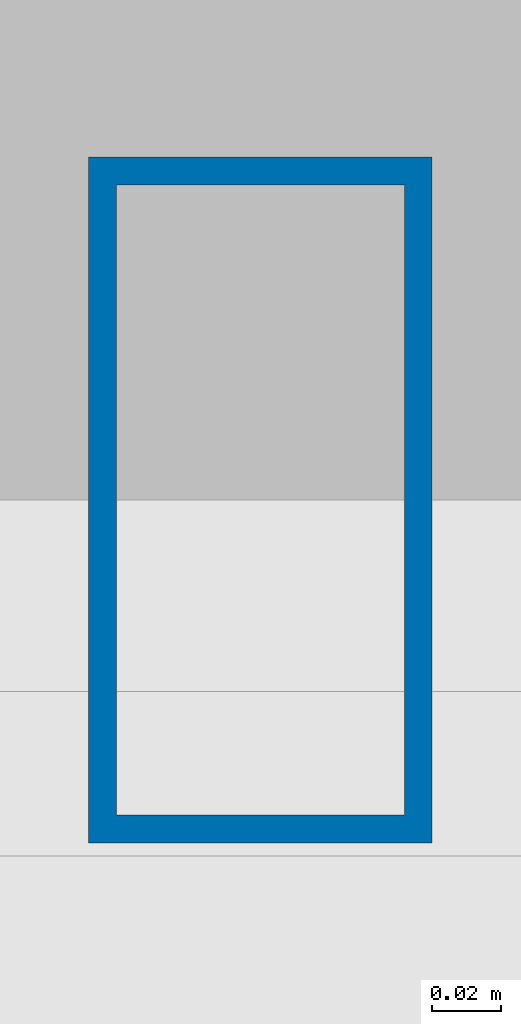
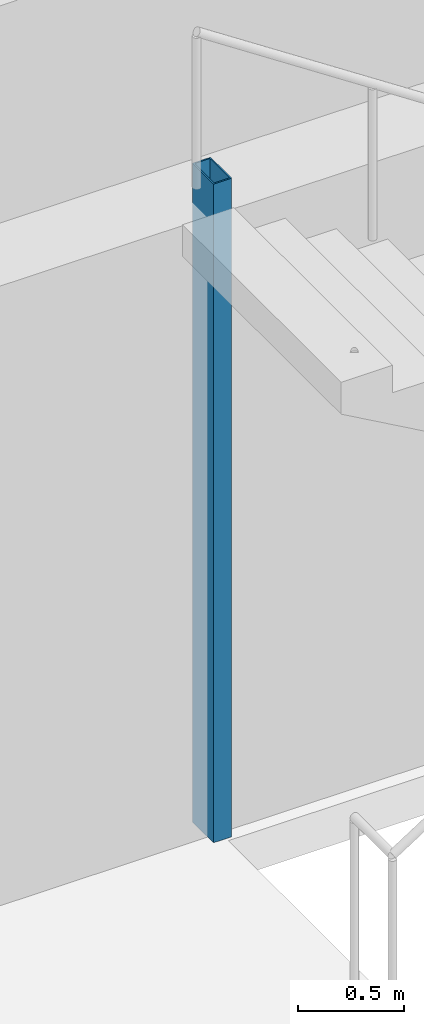
# One storey, part 2 of 16: 1 column.
"""IFC4 building model written with IfcOpenShell, lengths in metres."""

from ifc_helpers import new_model, si_unit, direction, frame, origin, origin_2d, place, context, subcontext, project, spatial, hollow_rectangle, extrude, material, material_profile, profile_set, type_object, element, save


model = new_model("IFC4")

# Units and contexts
model_context = context("Model", 3, precision=1e-05, world=origin(), true_north=direction((0.0, 1.0)))
body_context = subcontext(model_context, "Body", "Model", "MODEL_VIEW")
ifc_project = project(units=[si_unit("LENGTHUNIT", "METRE"), si_unit("AREAUNIT", "SQUARE_METRE"), si_unit("VOLUMEUNIT", "CUBIC_METRE"), si_unit("PLANEANGLEUNIT", "RADIAN"), si_unit("MASSUNIT", "GRAM", prefix="KILO")], contexts=[model_context])

# Site, building, storey
site_placement = place(None, origin())
site = spatial("IfcSite", under=ifc_project, at=site_placement, CompositionType="ELEMENT")
building_placement = place(site_placement, origin())
building = spatial("IfcBuilding", under=site, at=building_placement, Name="Menara Jurai Vektor", CompositionType="ELEMENT")
storey_placement = place(building_placement, frame((0.0, 0.0, 67.39990234375)))
storey = spatial("IfcBuildingStorey", under=building, at=storey_placement, Name="L16", CompositionType="ELEMENT", Elevation=67.39990234375)

# Column
ifc_material = material(Name="Steel S355", Category="steel")
ifc_material_profile = material_profile(ifc_material, hollow_rectangle(XDim=0.10009765625, YDim=0.199951171875, WallThickness=0.008056640625, at=origin_2d()), Name="RHS 200x100x8")
ifc_profile_set = profile_set([ifc_material_profile], Name="Steel S355")
column_type = type_object("IfcColumnType", Name="STR-COL-STAIR", PredefinedType="COLUMN", material=ifc_profile_set)
column_placement = place(storey_placement, frame((-11.1201171875, 5.419921875, 0.0), z_axis=(0.0, 0.0, 1.0), x_axis=(1.0, 0.0, 0.0)))
element("IfcColumn", 1, at=column_placement, inside=storey, type_object=column_type, Name="Stair Well Header Column ST1-P2 L16", PredefinedType="COLUMN", context=body_context, shape_type="SweptSolid", body=[
    extrude(hollow_rectangle(XDim=0.10009765625, YDim=0.199951171875, WallThickness=0.008056640625, at=origin_2d()), origin(), (0.0, 0.0, 1.0), 3.800048828125),
])

save(model, "model.ifc")
